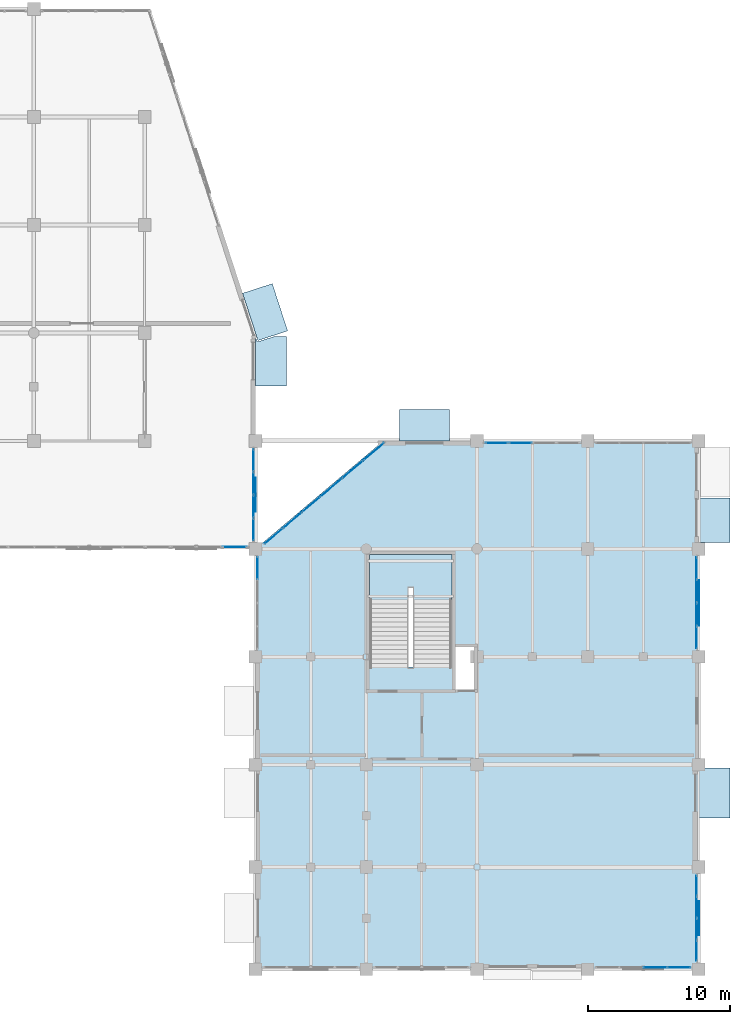
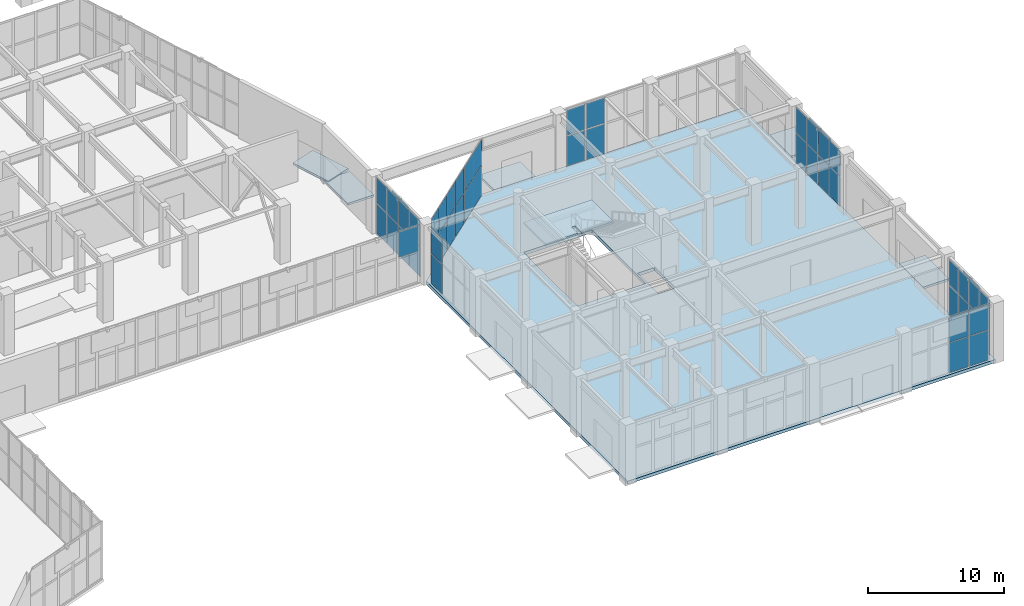
# One storey, part 111 of 139: 50 plates, 7 slabs, 10 elements without a shape of their own.
"""IFC4 building model written with IfcOpenShell, lengths in metres."""

from ifc_helpers import new_model, si_unit, direction, frame, origin, origin_2d, place, context, subcontext, project, spatial, polyline, rectangle, outline, extrude, material, layer, layer_set, type_object, element, aggregate, save


model = new_model("IFC4")

# Units and contexts
model_context = context("Model", 3, precision=1e-05, world=origin(), true_north=direction((0.0, 1.0)))
body_context = subcontext(model_context, "Body", "Model", "MODEL_VIEW")
ifc_project = project(units=[si_unit("LENGTHUNIT", "METRE"), si_unit("AREAUNIT", "SQUARE_METRE"), si_unit("VOLUMEUNIT", "CUBIC_METRE"), si_unit("PLANEANGLEUNIT", "RADIAN"), si_unit("MASSUNIT", "GRAM", prefix="KILO")], contexts=[model_context])

# Site, building, storey
site_placement = place(None, origin())
site = spatial("IfcSite", under=ifc_project, at=site_placement, CompositionType="ELEMENT")
building_placement = place(site_placement, origin())
building = spatial("IfcBuilding", under=site, at=building_placement, Name="Xicomal Pleat Aquarium", CompositionType="ELEMENT")
storey_placement = place(building_placement, origin())
storey = spatial("IfcBuildingStorey", under=building, at=storey_placement, Name="L01", CompositionType="ELEMENT", Elevation=0.0)

# Curtain wall, plates
ifc_material_1 = material(Name="Bronze anodized aluminium 6063-T6", Category="aluminium")
ifc_layer_1 = layer(ifc_material_1, 0.159912109375)
ifc_layer_set_1 = layer_set([ifc_layer_1], Name="Bronze anodized aluminium 6063-T6")
curtain_wall_type_1 = type_object("IfcCurtainWallType", Name="CW-SYS-11", PredefinedType="NOTDEFINED", material=ifc_layer_set_1)
curtain_wall_1_placement = place(storey_placement, origin())
curtain_wall_1 = element("IfcCurtainWall", 1, at=curtain_wall_1_placement, inside=storey, type_object=curtain_wall_type_1, Name="L01 unitised curtain wall CW-L01-056", PredefinedType="NOTDEFINED")
ifc_material_2 = material(Name="Insulated low-E laminated glass", Category="glass")
ifc_layer_2 = layer(ifc_material_2, 0.028076171875)
ifc_layer_set_2 = layer_set([ifc_layer_2], Name="Insulated low-E laminated glass")
plate_type_1 = type_object("IfcPlateType", Name="CWP-GLZ-28", PredefinedType="CURTAIN_PANEL", material=ifc_layer_set_2)
plate_1_placement = place(storey_placement, frame((150.7861328125, 37.860107421875, 0.0849609375), z_axis=(0.0, 0.0, 1.0), x_axis=(1.0, 0.0, 0.0)))
plate_1 = element("IfcPlate", 2, at=plate_1_placement, type_object=plate_type_1, Name="CW-11 panel 1.1", PredefinedType="CURTAIN_PANEL", context=body_context, shape_type="SweptSolid", body=[
    extrude(rectangle(XDim=1.5625, YDim=0.028076171875, at=origin_2d()), origin(), (0.0, 0.0, 1.0), 2.680419921875),
])
plate_2_placement = place(storey_placement, frame((150.7861328125, 37.860107421875, 2.8505859375), z_axis=(0.0, 0.0, 1.0), x_axis=(1.0, 0.0, 0.0)))
plate_2 = element("IfcPlate", 3, at=plate_2_placement, type_object=plate_type_1, Name="CW-11 panel 1.2", PredefinedType="CURTAIN_PANEL", context=body_context, shape_type="SweptSolid", body=[
    extrude(rectangle(XDim=1.5625, YDim=0.028076171875, at=origin_2d()), origin(), (0.0, 0.0, 1.0), 2.264404296875),
])
plate_3_placement = place(storey_placement, frame((152.455078125, 37.860107421875, 0.0849609375), z_axis=(0.0, 0.0, 1.0), x_axis=(1.0, 0.0, 0.0)))
plate_3 = element("IfcPlate", 4, at=plate_3_placement, type_object=plate_type_1, Name="CW-11 panel 2.1", PredefinedType="CURTAIN_PANEL", context=body_context, shape_type="SweptSolid", body=[
    extrude(rectangle(XDim=1.60498046875, YDim=0.028076171875, at=origin_2d()), origin(), (0.0, 0.0, 1.0), 2.680419921875),
])
plate_4_placement = place(storey_placement, frame((152.455078125, 37.860107421875, 2.8505859375), z_axis=(0.0, 0.0, 1.0), x_axis=(1.0, 0.0, 0.0)))
plate_4 = element("IfcPlate", 5, at=plate_4_placement, type_object=plate_type_1, Name="CW-11 panel 2.2", PredefinedType="CURTAIN_PANEL", context=body_context, shape_type="SweptSolid", body=[
    extrude(rectangle(XDim=1.60498046875, YDim=0.028076171875, at=origin_2d()), origin(), (0.0, 0.0, 1.0), 2.264404296875),
])
aggregate(curtain_wall_1, [plate_1, plate_2, plate_3, plate_4])

ifc_material_3 = material(Name="Bronze anodized aluminium 6063-T6", Category="aluminium")
ifc_layer_3 = layer(ifc_material_3, 0.159912109375)
ifc_layer_set_3 = layer_set([ifc_layer_3], Name="Bronze anodized aluminium 6063-T6")
curtain_wall_type_2 = type_object("IfcCurtainWallType", Name="CW-SYS-01", PredefinedType="NOTDEFINED", material=ifc_layer_set_3)
curtain_wall_2_placement = place(storey_placement, origin())
curtain_wall_2 = element("IfcCurtainWall", 6, at=curtain_wall_2_placement, inside=storey, type_object=curtain_wall_type_2, Name="L01 unitised curtain wall CW-L01-060", PredefinedType="NOTDEFINED")
plate_5_placement = place(storey_placement, frame((163.61865234375, 0.93994140625, 0.06494140625), z_axis=(0.0, 0.0, 1.0), x_axis=(-1.0, 0.0, 0.0)))
plate_5 = element("IfcPlate", 7, at=plate_5_placement, type_object=plate_type_1, Name="CW-01 panel 1.1", PredefinedType="CURTAIN_PANEL", context=body_context, shape_type="SweptSolid", body=[
    extrude(rectangle(XDim=1.592529296875, YDim=0.028076171875, at=origin_2d()), origin(), (0.0, 0.0, 1.0), 2.66748046875),
])
plate_6_placement = place(storey_placement, frame((163.61865234375, 0.93994140625, 2.79736328125), z_axis=(0.0, 0.0, 1.0), x_axis=(-1.0, 0.0, 0.0)))
plate_6 = element("IfcPlate", 8, at=plate_6_placement, type_object=plate_type_1, Name="CW-01 panel 1.2", PredefinedType="CURTAIN_PANEL", context=body_context, shape_type="SweptSolid", body=[
    extrude(rectangle(XDim=1.592529296875, YDim=0.028076171875, at=origin_2d()), origin(), (0.0, 0.0, 1.0), 2.257568359375),
])
plate_7_placement = place(storey_placement, frame((161.945068359375, 0.93994140625, 0.06494140625), z_axis=(0.0, 0.0, 1.0), x_axis=(-1.0, 0.0, 0.0)))
plate_7 = element("IfcPlate", 9, at=plate_7_placement, type_object=plate_type_1, Name="CW-01 panel 2.1", PredefinedType="CURTAIN_PANEL", context=body_context, shape_type="SweptSolid", body=[
    extrude(rectangle(XDim=1.625, YDim=0.028076171875, at=origin_2d()), origin(), (0.0, 0.0, 1.0), 2.66748046875),
])
plate_8_placement = place(storey_placement, frame((161.945068359375, 0.93994140625, 2.79736328125), z_axis=(0.0, 0.0, 1.0), x_axis=(-1.0, 0.0, 0.0)))
plate_8 = element("IfcPlate", 10, at=plate_8_placement, type_object=plate_type_1, Name="CW-01 panel 2.2", PredefinedType="CURTAIN_PANEL", context=body_context, shape_type="SweptSolid", body=[
    extrude(rectangle(XDim=1.625, YDim=0.028076171875, at=origin_2d()), origin(), (0.0, 0.0, 1.0), 2.257568359375),
])
aggregate(curtain_wall_2, [plate_5, plate_6, plate_7, plate_8])

ifc_material_4 = material(Name="Bronze anodized aluminium 6063-T6", Category="aluminium")
ifc_layer_4 = layer(ifc_material_4, 0.159912109375)
ifc_layer_set_4 = layer_set([ifc_layer_4], Name="Bronze anodized aluminium 6063-T6")
curtain_wall_type_3 = type_object("IfcCurtainWallType", Name="CW-SYS-06", PredefinedType="NOTDEFINED", material=ifc_layer_set_4)
curtain_wall_3_placement = place(storey_placement, origin())
curtain_wall_3 = element("IfcCurtainWall", 11, at=curtain_wall_3_placement, inside=storey, type_object=curtain_wall_type_3, Name="L01 unitised curtain wall CW-L01-046", PredefinedType="NOTDEFINED")
ifc_material_5 = material(Name="Insulated low-E laminated glass", Category="glass")
ifc_layer_5 = layer(ifc_material_5, 0.035888671875)
ifc_layer_set_5 = layer_set([ifc_layer_5], Name="Insulated low-E laminated glass")
plate_type_2 = type_object("IfcPlateType", Name="CWP-GLZ-36", PredefinedType="CURTAIN_PANEL", material=ifc_layer_set_5)
plate_9_placement = place(storey_placement, frame((133.659912109375, 36.64111328125, 0.0751953125), z_axis=(0.0, 0.0, 1.0), x_axis=(0.0, -1.0, 0.0)))
plate_9 = element("IfcPlate", 12, at=plate_9_placement, type_object=plate_type_2, Name="CW-06 panel 1.1", PredefinedType="CURTAIN_PANEL", context=body_context, shape_type="SweptSolid", body=[
    extrude(rectangle(XDim=1.527587890625, YDim=0.035888671875, at=origin_2d()), origin(), (0.0, 0.0, 1.0), 2.673583984375),
])
plate_10_placement = place(storey_placement, frame((133.659912109375, 36.64111328125, 2.82373046875), z_axis=(0.0, 0.0, 1.0), x_axis=(0.0, -1.0, 0.0)))
plate_10 = element("IfcPlate", 13, at=plate_10_placement, type_object=plate_type_2, Name="CW-06 panel 1.2", PredefinedType="CURTAIN_PANEL", context=body_context, shape_type="SweptSolid", body=[
    extrude(rectangle(XDim=1.527587890625, YDim=0.035888671875, at=origin_2d()), origin(), (0.0, 0.0, 1.0), 2.261474609375),
])
plate_11_placement = place(storey_placement, frame((133.659912109375, 35.02001953125, 0.0751953125), z_axis=(0.0, 0.0, 1.0), x_axis=(0.0, -1.0, 0.0)))
plate_11 = element("IfcPlate", 14, at=plate_11_placement, type_object=plate_type_2, Name="CW-06 panel 2.1", PredefinedType="CURTAIN_PANEL", context=body_context, shape_type="SweptSolid", body=[
    extrude(rectangle(XDim=1.56494140625, YDim=0.035888671875, at=origin_2d()), origin(), (0.0, 0.0, 1.0), 2.673583984375),
])
plate_12_placement = place(storey_placement, frame((133.659912109375, 35.02001953125, 2.82373046875), z_axis=(0.0, 0.0, 1.0), x_axis=(0.0, -1.0, 0.0)))
plate_12 = element("IfcPlate", 15, at=plate_12_placement, type_object=plate_type_2, Name="CW-06 panel 2.2", PredefinedType="CURTAIN_PANEL", context=body_context, shape_type="SweptSolid", body=[
    extrude(rectangle(XDim=1.56494140625, YDim=0.035888671875, at=origin_2d()), origin(), (0.0, 0.0, 1.0), 2.261474609375),
])
plate_13_placement = place(storey_placement, frame((133.659912109375, 33.3798828125, 0.0751953125), z_axis=(0.0, 0.0, 1.0), x_axis=(0.0, -1.0, 0.0)))
plate_13 = element("IfcPlate", 16, at=plate_13_placement, type_object=plate_type_2, Name="CW-06 panel 3.1", PredefinedType="CURTAIN_PANEL", context=body_context, shape_type="SweptSolid", body=[
    extrude(rectangle(XDim=1.56494140625, YDim=0.035888671875, at=origin_2d()), origin(), (0.0, 0.0, 1.0), 2.673583984375),
])
plate_14_placement = place(storey_placement, frame((133.659912109375, 33.3798828125, 2.82373046875), z_axis=(0.0, 0.0, 1.0), x_axis=(0.0, -1.0, 0.0)))
plate_14 = element("IfcPlate", 17, at=plate_14_placement, type_object=plate_type_2, Name="CW-06 panel 3.2", PredefinedType="CURTAIN_PANEL", context=body_context, shape_type="SweptSolid", body=[
    extrude(rectangle(XDim=1.56494140625, YDim=0.035888671875, at=origin_2d()), origin(), (0.0, 0.0, 1.0), 2.261474609375),
])
plate_15_placement = place(storey_placement, frame((133.659912109375, 31.7587890625, 0.0751953125), z_axis=(0.0, 0.0, 1.0), x_axis=(0.0, -1.0, 0.0)))
plate_15 = element("IfcPlate", 18, at=plate_15_placement, type_object=plate_type_2, Name="CW-06 panel 4.1", PredefinedType="CURTAIN_PANEL", context=body_context, shape_type="SweptSolid", body=[
    extrude(rectangle(XDim=1.527587890625, YDim=0.035888671875, at=origin_2d()), origin(), (0.0, 0.0, 1.0), 2.673583984375),
])
plate_16_placement = place(storey_placement, frame((133.659912109375, 31.7587890625, 2.82373046875), z_axis=(0.0, 0.0, 1.0), x_axis=(0.0, -1.0, 0.0)))
plate_16 = element("IfcPlate", 19, at=plate_16_placement, type_object=plate_type_2, Name="CW-06 panel 4.2", PredefinedType="CURTAIN_PANEL", context=body_context, shape_type="SweptSolid", body=[
    extrude(rectangle(XDim=1.527587890625, YDim=0.035888671875, at=origin_2d()), origin(), (0.0, 0.0, 1.0), 2.261474609375),
])
aggregate(curtain_wall_3, [plate_9, plate_10, plate_11, plate_12, plate_13, plate_14, plate_15, plate_16])

curtain_wall_4_placement = place(storey_placement, origin())
curtain_wall_4 = element("IfcCurtainWall", 20, at=curtain_wall_4_placement, inside=storey, type_object=curtain_wall_type_2, Name="L01 unitised curtain wall CW-L01-054", PredefinedType="NOTDEFINED")
plate_17_placement = place(storey_placement, frame((135.094970703125, 31.310302734375, 0.06494140625), z_axis=(0.0, 0.0, 1.0), x_axis=(0.763991960357, 0.645225762435, 0.0)))
plate_17 = element("IfcPlate", 21, at=plate_17_placement, type_object=plate_type_2, Name="CW-01 panel 1.1", PredefinedType="CURTAIN_PANEL", context=body_context, shape_type="SweptSolid", body=[
    extrude(rectangle(XDim=1.63427734375, YDim=0.035888671875, at=origin_2d()), origin(), (0.0, 0.0, 1.0), 2.66748046875),
])
plate_18_placement = place(storey_placement, frame((135.094970703125, 31.310302734375, 2.79736328125), z_axis=(0.0, 0.0, 1.0), x_axis=(0.763991960357, 0.645225762435, 0.0)))
plate_18 = element("IfcPlate", 22, at=plate_18_placement, type_object=plate_type_2, Name="CW-01 panel 1.2", PredefinedType="CURTAIN_PANEL", context=body_context, shape_type="SweptSolid", body=[
    extrude(rectangle(XDim=1.63427734375, YDim=0.035888671875, at=origin_2d()), origin(), (0.0, 0.0, 1.0), 2.257568359375),
])
plate_19_placement = place(storey_placement, frame((136.405517578125, 32.4169921875, 0.06494140625), z_axis=(0.0, 0.0, 1.0), x_axis=(0.763991960357, 0.645225762435, 0.0)))
plate_19 = element("IfcPlate", 23, at=plate_19_placement, type_object=plate_type_2, Name="CW-01 panel 2.1", PredefinedType="CURTAIN_PANEL", context=body_context, shape_type="SweptSolid", body=[
    extrude(rectangle(XDim=1.666748046875, YDim=0.035888671875, at=origin_2d()), origin(), (0.0, 0.0, 1.0), 2.66748046875),
])
plate_20_placement = place(storey_placement, frame((136.405517578125, 32.4169921875, 2.79736328125), z_axis=(0.0, 0.0, 1.0), x_axis=(0.763991960357, 0.645225762435, 0.0)))
plate_20 = element("IfcPlate", 24, at=plate_20_placement, type_object=plate_type_2, Name="CW-01 panel 2.2", PredefinedType="CURTAIN_PANEL", context=body_context, shape_type="SweptSolid", body=[
    extrude(rectangle(XDim=1.666748046875, YDim=0.035888671875, at=origin_2d()), origin(), (0.0, 0.0, 1.0), 2.257568359375),
])
plate_21_placement = place(storey_placement, frame((137.716064453125, 33.523681640625, 0.06494140625), z_axis=(0.0, 0.0, 1.0), x_axis=(0.763991960357, 0.645225762435, 0.0)))
plate_21 = element("IfcPlate", 25, at=plate_21_placement, type_object=plate_type_2, Name="CW-01 panel 3.1", PredefinedType="CURTAIN_PANEL", context=body_context, shape_type="SweptSolid", body=[
    extrude(rectangle(XDim=1.63427734375, YDim=0.035888671875, at=origin_2d()), origin(), (0.0, 0.0, 1.0), 2.66748046875),
])
plate_22_placement = place(storey_placement, frame((137.716064453125, 33.523681640625, 2.79736328125), z_axis=(0.0, 0.0, 1.0), x_axis=(0.763991960357, 0.645225762435, 0.0)))
plate_22 = element("IfcPlate", 26, at=plate_22_placement, type_object=plate_type_2, Name="CW-01 panel 3.2", PredefinedType="CURTAIN_PANEL", context=body_context, shape_type="SweptSolid", body=[
    extrude(rectangle(XDim=1.63427734375, YDim=0.035888671875, at=origin_2d()), origin(), (0.0, 0.0, 1.0), 2.257568359375),
])
aggregate(curtain_wall_4, [plate_17, plate_18, plate_19, plate_20, plate_21, plate_22])

curtain_wall_5_placement = place(storey_placement, origin())
curtain_wall_5 = element("IfcCurtainWall", 27, at=curtain_wall_5_placement, inside=storey, type_object=curtain_wall_type_3, Name="L01 unitised curtain wall CW-L01-058", PredefinedType="NOTDEFINED")
plate_23_placement = place(storey_placement, frame((164.860107421875, 29.041259765625, 0.0751953125), z_axis=(0.0, 0.0, 1.0), x_axis=(0.0, -1.0, 0.0)))
plate_23 = element("IfcPlate", 28, at=plate_23_placement, type_object=plate_type_2, Name="CW-06 panel 1.1", PredefinedType="CURTAIN_PANEL", context=body_context, shape_type="SweptSolid", body=[
    extrude(rectangle(XDim=1.527587890625, YDim=0.035888671875, at=origin_2d()), origin(), (0.0, 0.0, 1.0), 2.652587890625),
])
plate_24_placement = place(storey_placement, frame((164.860107421875, 29.041259765625, 2.802734375), z_axis=(0.0, 0.0, 1.0), x_axis=(0.0, -1.0, 0.0)))
plate_24 = element("IfcPlate", 29, at=plate_24_placement, type_object=plate_type_2, Name="CW-06 panel 1.2", PredefinedType="CURTAIN_PANEL", context=body_context, shape_type="SweptSolid", body=[
    extrude(rectangle(XDim=1.527587890625, YDim=0.035888671875, at=origin_2d()), origin(), (0.0, 0.0, 1.0), 2.242431640625),
])
plate_25_placement = place(storey_placement, frame((164.860107421875, 27.419921875, 0.0751953125), z_axis=(0.0, 0.0, 1.0), x_axis=(0.0, -1.0, 0.0)))
plate_25 = element("IfcPlate", 30, at=plate_25_placement, type_object=plate_type_2, Name="CW-06 panel 2.1", PredefinedType="CURTAIN_PANEL", context=body_context, shape_type="SweptSolid", body=[
    extrude(rectangle(XDim=1.56494140625, YDim=0.035888671875, at=origin_2d()), origin(), (0.0, 0.0, 1.0), 2.652587890625),
])
plate_26_placement = place(storey_placement, frame((164.860107421875, 27.419921875, 2.802734375), z_axis=(0.0, 0.0, 1.0), x_axis=(0.0, -1.0, 0.0)))
plate_26 = element("IfcPlate", 31, at=plate_26_placement, type_object=plate_type_2, Name="CW-06 panel 2.2", PredefinedType="CURTAIN_PANEL", context=body_context, shape_type="SweptSolid", body=[
    extrude(rectangle(XDim=1.56494140625, YDim=0.035888671875, at=origin_2d()), origin(), (0.0, 0.0, 1.0), 2.242431640625),
])
plate_27_placement = place(storey_placement, frame((164.860107421875, 25.780029296875, 0.0751953125), z_axis=(0.0, 0.0, 1.0), x_axis=(0.0, -1.0, 0.0)))
plate_27 = element("IfcPlate", 32, at=plate_27_placement, type_object=plate_type_2, Name="CW-06 panel 3.1", PredefinedType="CURTAIN_PANEL", context=body_context, shape_type="SweptSolid", body=[
    extrude(rectangle(XDim=1.56494140625, YDim=0.035888671875, at=origin_2d()), origin(), (0.0, 0.0, 1.0), 2.652587890625),
])
plate_28_placement = place(storey_placement, frame((164.860107421875, 25.780029296875, 2.802734375), z_axis=(0.0, 0.0, 1.0), x_axis=(0.0, -1.0, 0.0)))
plate_28 = element("IfcPlate", 33, at=plate_28_placement, type_object=plate_type_2, Name="CW-06 panel 3.2", PredefinedType="CURTAIN_PANEL", context=body_context, shape_type="SweptSolid", body=[
    extrude(rectangle(XDim=1.56494140625, YDim=0.035888671875, at=origin_2d()), origin(), (0.0, 0.0, 1.0), 2.242431640625),
])
plate_29_placement = place(storey_placement, frame((164.860107421875, 24.15869140625, 0.0751953125), z_axis=(0.0, 0.0, 1.0), x_axis=(0.0, -1.0, 0.0)))
plate_29 = element("IfcPlate", 34, at=plate_29_placement, type_object=plate_type_2, Name="CW-06 panel 4.1", PredefinedType="CURTAIN_PANEL", context=body_context, shape_type="SweptSolid", body=[
    extrude(rectangle(XDim=1.527587890625, YDim=0.035888671875, at=origin_2d()), origin(), (0.0, 0.0, 1.0), 2.652587890625),
])
plate_30_placement = place(storey_placement, frame((164.860107421875, 24.15869140625, 2.802734375), z_axis=(0.0, 0.0, 1.0), x_axis=(0.0, -1.0, 0.0)))
plate_30 = element("IfcPlate", 35, at=plate_30_placement, type_object=plate_type_2, Name="CW-06 panel 4.2", PredefinedType="CURTAIN_PANEL", context=body_context, shape_type="SweptSolid", body=[
    extrude(rectangle(XDim=1.527587890625, YDim=0.035888671875, at=origin_2d()), origin(), (0.0, 0.0, 1.0), 2.242431640625),
])
aggregate(curtain_wall_5, [plate_23, plate_24, plate_25, plate_26, plate_27, plate_28, plate_29, plate_30])

# Curtain wall, plate
curtain_wall_6_placement = place(storey_placement, origin())
curtain_wall_6 = element("IfcCurtainWall", 36, at=curtain_wall_6_placement, inside=storey, type_object=curtain_wall_type_1, Name="L01 unitised curtain wall CW-L01-047", PredefinedType="NOTDEFINED")
ifc_material_6 = material(Name="Insulated low-E laminated glass", Category="glass")
ifc_layer_6 = layer(ifc_material_6, 0.0419921875)
ifc_layer_set_6 = layer_set([ifc_layer_6], Name="Insulated low-E laminated glass")
plate_type_3 = type_object("IfcPlateType", Name="CWP-GLZ-42", PredefinedType="CURTAIN_PANEL", material=ifc_layer_set_6)
plate_31_placement = place(storey_placement, frame((132.3486328125, 30.5400390625, 2.828369140625), z_axis=(0.0, 0.0, 1.0), x_axis=(-1.0, 0.0, 0.0)))
plate_31 = element("IfcPlate", 37, at=plate_31_placement, type_object=plate_type_3, Name="CW-11 panel 1.2", PredefinedType="CURTAIN_PANEL", context=body_context, shape_type="SweptSolid", body=[
    extrude(rectangle(XDim=1.6923828125, YDim=0.0419921875, at=origin_2d()), origin(), (0.0, 0.0, 1.0), 2.24658203125),
])
aggregate(curtain_wall_6, [plate_31])

# Curtain wall, plates
curtain_wall_7_placement = place(storey_placement, origin())
curtain_wall_7 = element("IfcCurtainWall", 38, at=curtain_wall_7_placement, inside=storey, type_object=curtain_wall_type_3, Name="L01 unitised curtain wall CW-L01-055", PredefinedType="NOTDEFINED")
plate_32_placement = place(storey_placement, frame((139.154296875, 34.73828125, 0.0751953125), z_axis=(0.0, 0.0, 1.0), x_axis=(0.764029915846, 0.645180817828, 0.0)))
plate_32 = element("IfcPlate", 39, at=plate_32_placement, type_object=plate_type_3, Name="CW-06 panel 1.1", PredefinedType="CURTAIN_PANEL", context=body_context, shape_type="SweptSolid", body=[
    extrude(rectangle(XDim=1.850830078125, YDim=0.0419921875, at=origin_2d()), origin(), (0.0, 0.0, 1.0), 2.652587890625),
])
plate_33_placement = place(storey_placement, frame((139.154296875, 34.73828125, 2.802734375), z_axis=(0.0, 0.0, 1.0), x_axis=(0.764029915846, 0.645180817828, 0.0)))
plate_33 = element("IfcPlate", 40, at=plate_33_placement, type_object=plate_type_3, Name="CW-06 panel 1.2", PredefinedType="CURTAIN_PANEL", context=body_context, shape_type="SweptSolid", body=[
    extrude(rectangle(XDim=1.850830078125, YDim=0.0419921875, at=origin_2d()), origin(), (0.0, 0.0, 1.0), 2.242431640625),
])
plate_34_placement = place(storey_placement, frame((140.639892578125, 35.992919921875, 0.0751953125), z_axis=(0.0, 0.0, 1.0), x_axis=(0.764029915846, 0.645180817828, 0.0)))
plate_34 = element("IfcPlate", 41, at=plate_34_placement, type_object=plate_type_3, Name="CW-06 panel 2.1", PredefinedType="CURTAIN_PANEL", context=body_context, shape_type="SweptSolid", body=[
    extrude(rectangle(XDim=1.88818359375, YDim=0.0419921875, at=origin_2d()), origin(), (0.0, 0.0, 1.0), 2.652587890625),
])
plate_35_placement = place(storey_placement, frame((140.639892578125, 35.992919921875, 2.802734375), z_axis=(0.0, 0.0, 1.0), x_axis=(0.764029915846, 0.645180817828, 0.0)))
plate_35 = element("IfcPlate", 42, at=plate_35_placement, type_object=plate_type_3, Name="CW-06 panel 2.2", PredefinedType="CURTAIN_PANEL", context=body_context, shape_type="SweptSolid", body=[
    extrude(rectangle(XDim=1.88818359375, YDim=0.0419921875, at=origin_2d()), origin(), (0.0, 0.0, 1.0), 2.242431640625),
])
plate_36_placement = place(storey_placement, frame((142.125732421875, 37.24755859375, 0.0751953125), z_axis=(0.0, 0.0, 1.0), x_axis=(0.764029915846, 0.645180817828, 0.0)))
plate_36 = element("IfcPlate", 43, at=plate_36_placement, type_object=plate_type_3, Name="CW-06 panel 3.1", PredefinedType="CURTAIN_PANEL", context=body_context, shape_type="SweptSolid", body=[
    extrude(rectangle(XDim=1.850830078125, YDim=0.0419921875, at=origin_2d()), origin(), (0.0, 0.0, 1.0), 2.652587890625),
])
plate_37_placement = place(storey_placement, frame((142.125732421875, 37.24755859375, 2.802734375), z_axis=(0.0, 0.0, 1.0), x_axis=(0.764029915846, 0.645180817828, 0.0)))
plate_37 = element("IfcPlate", 44, at=plate_37_placement, type_object=plate_type_3, Name="CW-06 panel 3.2", PredefinedType="CURTAIN_PANEL", context=body_context, shape_type="SweptSolid", body=[
    extrude(rectangle(XDim=1.850830078125, YDim=0.0419921875, at=origin_2d()), origin(), (0.0, 0.0, 1.0), 2.242431640625),
])
aggregate(curtain_wall_7, [plate_32, plate_33, plate_34, plate_35, plate_36, plate_37])

curtain_wall_8_placement = place(storey_placement, origin())
curtain_wall_8 = element("IfcCurtainWall", 45, at=curtain_wall_8_placement, inside=storey, type_object=curtain_wall_type_1, Name="L01 unitised curtain wall CW-L01-059", PredefinedType="NOTDEFINED")
plate_38_placement = place(storey_placement, frame((164.860107421875, 6.688720703125, 0.0849609375), z_axis=(0.0, 0.0, 1.0), x_axis=(0.0, -1.0, 0.0)))
plate_38 = element("IfcPlate", 46, at=plate_38_placement, type_object=plate_type_3, Name="CW-11 panel 1.1", PredefinedType="CURTAIN_PANEL", context=body_context, shape_type="SweptSolid", body=[
    extrude(rectangle(XDim=1.41259765625, YDim=0.0419921875, at=origin_2d()), origin(), (0.0, 0.0, 1.0), 2.637451171875),
])
plate_39_placement = place(storey_placement, frame((164.860107421875, 6.688720703125, 2.807373046875), z_axis=(0.0, 0.0, 1.0), x_axis=(0.0, -1.0, 0.0)))
plate_39 = element("IfcPlate", 47, at=plate_39_placement, type_object=plate_type_3, Name="CW-11 panel 1.2", PredefinedType="CURTAIN_PANEL", context=body_context, shape_type="SweptSolid", body=[
    extrude(rectangle(XDim=1.41259765625, YDim=0.0419921875, at=origin_2d()), origin(), (0.0, 0.0, 1.0), 2.2275390625),
])
plate_40_placement = place(storey_placement, frame((164.860107421875, 5.169921875, 0.0849609375), z_axis=(0.0, 0.0, 1.0), x_axis=(0.0, -1.0, 0.0)))
plate_40 = element("IfcPlate", 48, at=plate_40_placement, type_object=plate_type_3, Name="CW-11 panel 2.1", PredefinedType="CURTAIN_PANEL", context=body_context, shape_type="SweptSolid", body=[
    extrude(rectangle(XDim=1.455078125, YDim=0.0419921875, at=origin_2d()), origin(), (0.0, 0.0, 1.0), 2.637451171875),
])
plate_41_placement = place(storey_placement, frame((164.860107421875, 5.169921875, 2.807373046875), z_axis=(0.0, 0.0, 1.0), x_axis=(0.0, -1.0, 0.0)))
plate_41 = element("IfcPlate", 49, at=plate_41_placement, type_object=plate_type_3, Name="CW-11 panel 2.2", PredefinedType="CURTAIN_PANEL", context=body_context, shape_type="SweptSolid", body=[
    extrude(rectangle(XDim=1.455078125, YDim=0.0419921875, at=origin_2d()), origin(), (0.0, 0.0, 1.0), 2.2275390625),
])
plate_42_placement = place(storey_placement, frame((164.860107421875, 3.6298828125, 0.0849609375), z_axis=(0.0, 0.0, 1.0), x_axis=(0.0, -1.0, 0.0)))
plate_42 = element("IfcPlate", 50, at=plate_42_placement, type_object=plate_type_3, Name="CW-11 panel 3.1", PredefinedType="CURTAIN_PANEL", context=body_context, shape_type="SweptSolid", body=[
    extrude(rectangle(XDim=1.455078125, YDim=0.0419921875, at=origin_2d()), origin(), (0.0, 0.0, 1.0), 2.637451171875),
])
plate_43_placement = place(storey_placement, frame((164.860107421875, 3.6298828125, 2.807373046875), z_axis=(0.0, 0.0, 1.0), x_axis=(0.0, -1.0, 0.0)))
plate_43 = element("IfcPlate", 51, at=plate_43_placement, type_object=plate_type_3, Name="CW-11 panel 3.2", PredefinedType="CURTAIN_PANEL", context=body_context, shape_type="SweptSolid", body=[
    extrude(rectangle(XDim=1.455078125, YDim=0.0419921875, at=origin_2d()), origin(), (0.0, 0.0, 1.0), 2.2275390625),
])
plate_44_placement = place(storey_placement, frame((164.860107421875, 2.111328125, 0.0849609375), z_axis=(0.0, 0.0, 1.0), x_axis=(0.0, -1.0, 0.0)))
plate_44 = element("IfcPlate", 52, at=plate_44_placement, type_object=plate_type_3, Name="CW-11 panel 4.1", PredefinedType="CURTAIN_PANEL", context=body_context, shape_type="SweptSolid", body=[
    extrude(rectangle(XDim=1.41259765625, YDim=0.0419921875, at=origin_2d()), origin(), (0.0, 0.0, 1.0), 2.637451171875),
])
plate_45_placement = place(storey_placement, frame((164.860107421875, 2.111328125, 2.807373046875), z_axis=(0.0, 0.0, 1.0), x_axis=(0.0, -1.0, 0.0)))
plate_45 = element("IfcPlate", 53, at=plate_45_placement, type_object=plate_type_3, Name="CW-11 panel 4.2", PredefinedType="CURTAIN_PANEL", context=body_context, shape_type="SweptSolid", body=[
    extrude(rectangle(XDim=1.41259765625, YDim=0.0419921875, at=origin_2d()), origin(), (0.0, 0.0, 1.0), 2.2275390625),
])
aggregate(curtain_wall_8, [plate_38, plate_39, plate_40, plate_41, plate_42, plate_43, plate_44, plate_45])

curtain_wall_9_placement = place(storey_placement, origin())
curtain_wall_9 = element("IfcCurtainWall", 54, at=curtain_wall_9_placement, inside=storey, type_object=curtain_wall_type_2, Name="L01 unitised curtain wall CW-L01-063", PredefinedType="NOTDEFINED")
plate_46_placement = place(storey_placement, frame((133.93994140625, 29.043701171875, 0.06494140625), z_axis=(0.0, 0.0, 1.0), x_axis=(0.0, 1.0, 0.0)))
plate_46 = element("IfcPlate", 55, at=plate_46_placement, type_object=plate_type_3, Name="CW-01 panel 4.1", PredefinedType="CURTAIN_PANEL", context=body_context, shape_type="SweptSolid", body=[
    extrude(rectangle(XDim=1.54248046875, YDim=0.0419921875, at=origin_2d()), origin(), (0.0, 0.0, 1.0), 2.66748046875),
])
plate_47_placement = place(storey_placement, frame((133.93994140625, 29.043701171875, 2.79736328125), z_axis=(0.0, 0.0, 1.0), x_axis=(0.0, 1.0, 0.0)))
plate_47 = element("IfcPlate", 56, at=plate_47_placement, type_object=plate_type_3, Name="CW-01 panel 4.2", PredefinedType="CURTAIN_PANEL", context=body_context, shape_type="SweptSolid", body=[
    extrude(rectangle(XDim=1.54248046875, YDim=0.0419921875, at=origin_2d()), origin(), (0.0, 0.0, 1.0), 2.257568359375),
])
aggregate(curtain_wall_9, [plate_46, plate_47])

# Plates
ifc_material_7 = material(Name="Perforated bronze anodized aluminium", Category="aluminium")
ifc_layer_7 = layer(ifc_material_7, 0.01611328125)
ifc_layer_set_7 = layer_set([ifc_layer_7], Name="Perforated bronze anodized aluminium")
plate_type_4 = type_object("IfcPlateType", Name="PLT-SUN-16", PredefinedType="USERDEFINED", material=ifc_layer_set_7)
for number, where, z_axis, x_axis, name in (
    (57, (133.820068359375, 34.199951171875, 3.919921875), (0.0, 0.0, 1.0), (0.0, -1.0, 0.0), "L01 perforated solar sunshade 21"),
    (58, (165.02001953125, 4.39990234375, 3.8798828125), (0.0, 0.0, 1.0), (0.0, -1.0, 0.0), "L01 perforated solar sunshade 30"),
):
    element("IfcPlate", number, at=place(storey_placement, frame(where, z_axis=z_axis, x_axis=x_axis)), inside=storey, type_object=plate_type_4, Name=name, ObjectType="SUNSHADE PANEL", PredefinedType="USERDEFINED", context=body_context, shape_type="SweptSolid", body=[
        extrude(rectangle(XDim=2.39990234375, YDim=0.01611328125, at=origin_2d()), origin(), (0.0, 0.0, 1.0), 1.199951171875),
    ])
ifc_material_8 = material(Name="Perforated bronze anodized aluminium", Category="aluminium")
ifc_layer_8 = layer(ifc_material_8, 0.02392578125)
ifc_layer_set_8 = layer_set([ifc_layer_8], Name="Perforated bronze anodized aluminium")
plate_type_5 = type_object("IfcPlateType", Name="PLT-SUN-24", PredefinedType="USERDEFINED", material=ifc_layer_set_8)
plate_48_placement = place(storey_placement, frame((165.02001953125, 26.60009765625, 3.47998046875), z_axis=(0.0, 0.0, 1.0), x_axis=(0.0, -1.0, 0.0)))
element("IfcPlate", 59, at=plate_48_placement, inside=storey, type_object=plate_type_5, Name="L01 perforated solar sunshade 29", ObjectType="SUNSHADE PANEL", PredefinedType="USERDEFINED", context=body_context, shape_type="SweptSolid", body=[
    extrude(rectangle(XDim=3.199951171875, YDim=0.02392578125, at=origin_2d()), origin(), (0.0, 0.0, 1.0), 1.60009765625),
])

# Slab
ifc_material_9 = material(Name="Concrete C40/50", Category="concrete")
ifc_layer_9 = layer(ifc_material_9, 0.280029296875)
ifc_layer_set_9 = layer_set([ifc_layer_9], Name="Concrete C40/50")
slab_type_1 = type_object("IfcSlabType", Name="SLB-FLR-280", PredefinedType="FLOOR", material=ifc_layer_set_9)
slab_1_placement = place(storey_placement, frame((0.0, 0.0, -0.280029296875)))
element("IfcSlab", 60, at=slab_1_placement, inside=storey, type_object=slab_type_1, Name="L01 structural slab V3", PredefinedType="FLOOR", context=body_context, shape_type="SweptSolid", body=[
    extrude(outline(polyline([(142.800048828125, 38.0), (165.0, 38.0), (165.0, 0.800048828125), (133.800048828125, 0.800048828125), (133.800048828125, 30.39990234375), (142.800048828125, 38.0)]), holes=[polyline([(141.840087890625, 22.080078125), (147.6201171875, 22.080078125), (147.6201171875, 30.0), (141.840087890625, 30.0), (141.840087890625, 22.080078125)]), polyline([(147.760009765625, 20.5), (149.199951171875, 20.5), (149.199951171875, 23.5), (147.760009765625, 23.5), (147.760009765625, 20.5)])]), origin(), (0.0, 0.0, 1.0), 0.280029296875),
])

# Stair, slab
ifc_material_10 = material(Name="Concrete C35/45", Category="concrete")
stair_type = type_object("IfcStairType", Name="STR-HT-5400-2400", PredefinedType="HALF_TURN_STAIR", material=ifc_material_10)
stair_placement = place(storey_placement, origin())
stair = element("IfcStair", 61, at=stair_placement, inside=storey, type_object=stair_type, Name="ST-08 fire exit stair L01 to L02", PredefinedType="HALF_TURN_STAIR")
ifc_material_11 = material(Name="Concrete C35/45", Category="concrete")
ifc_layer_10 = layer(ifc_material_11, 0.195068359375)
ifc_layer_set_10 = layer_set([ifc_layer_10], Name="Concrete C35/45")
slab_type_2 = type_object("IfcSlabType", Name="SLB-LND-195", PredefinedType="LANDING", material=ifc_layer_set_10)
slab_2_placement = place(storey_placement, frame((0.0, 0.0, 2.5048828125)))
slab_2 = element("IfcSlab", 62, at=slab_2_placement, type_object=slab_type_2, Name="ST-08 landing 1", PredefinedType="LANDING", context=body_context, shape_type="SweptSolid", body=[
    extrude(outline(polyline([(141.840087890625, 30.0), (147.6201171875, 30.0), (147.6201171875, 26.7900390625), (144.8798828125, 26.7900390625), (144.8798828125, 27.699951171875), (144.580078125, 27.699951171875), (144.580078125, 26.7900390625), (141.840087890625, 26.7900390625), (141.840087890625, 30.0)])), origin(), (0.0, 0.0, 1.0), 0.195068359375),
])
aggregate(stair, [slab_2])

# Slabs
ifc_material_12 = material(Name="Concrete C40/50", Category="concrete")
ifc_layer_11 = layer(ifc_material_12, 0.18505859375)
ifc_layer_set_11 = layer_set([ifc_layer_11], Name="Concrete C40/50")
slab_type_3 = type_object("IfcSlabType", Name="SLB-TER-185", PredefinedType="FLOOR", material=ifc_layer_set_11)
slab_3_placement = place(storey_placement, frame((0.0, 0.0, -0.18505859375)))
element("IfcSlab", 63, at=slab_3_placement, inside=storey, type_object=slab_type_3, Name="Exterior grade entrance apron SL-APR-EX-04", PredefinedType="FLOOR", context=body_context, shape_type="SweptSolid", body=[
    extrude(outline(polyline([(167.199951171875, 14.965087890625), (167.199951171875, 11.465087890625), (165.0, 11.465087890625), (165.0, 14.965087890625), (167.199951171875, 14.965087890625)])), origin(), (0.0, 0.0, 1.0), 0.18505859375),
])
slab_4_placement = place(storey_placement, frame((0.0, 0.0, -0.18505859375)))
element("IfcSlab", 64, at=slab_4_placement, inside=storey, type_object=slab_type_3, Name="Exterior grade entrance apron SL-APR-EX-05", PredefinedType="FLOOR", context=body_context, shape_type="SweptSolid", body=[
    extrude(outline(polyline([(136.06591796875, 45.74609375), (133.972900390625, 45.06689453125), (133.800048828125, 45.60009765625), (133.800048828125, 45.60009765625), (132.89208984375, 48.39599609375), (134.985107421875, 49.074951171875), (136.06591796875, 45.74609375)])), origin(), (0.0, 0.0, 1.0), 0.18505859375),
])
slab_5_placement = place(storey_placement, frame((0.0, 0.0, -0.18505859375)))
element("IfcSlab", 65, at=slab_5_placement, inside=storey, type_object=slab_type_3, Name="Exterior grade entrance apron SL-APR-EX-07", PredefinedType="FLOOR", context=body_context, shape_type="SweptSolid", body=[
    extrude(outline(polyline([(136.0, 45.3701171875), (136.0, 41.8701171875), (133.800048828125, 41.8701171875), (133.800048828125, 45.341064453125), (133.89697265625, 45.0419921875), (133.89990234375, 45.034912109375), (133.903076171875, 45.028076171875), (133.906982421875, 45.02099609375), (133.912109375, 45.014892578125), (133.91796875, 45.009033203125), (133.923095703125, 45.00390625), (133.929931640625, 45.0), (133.93701171875, 44.99609375), (133.944091796875, 44.992919921875), (133.950927734375, 44.989990234375), (133.958984375, 44.988037109375), (133.967041015625, 44.987060546875), (133.97509765625, 44.987060546875), (133.98193359375, 44.988037109375), (133.989990234375, 44.989013671875), (133.998046875, 44.990966796875), (135.166015625, 45.3701171875), (136.0, 45.3701171875)])), origin(), (0.0, 0.0, 1.0), 0.18505859375),
])
slab_6_placement = place(storey_placement, frame((0.0, 0.0, -0.18505859375)))
element("IfcSlab", 66, at=slab_6_placement, inside=storey, type_object=slab_type_3, Name="Exterior grade entrance apron SL-APR-EX-15", PredefinedType="FLOOR", context=body_context, shape_type="SweptSolid", body=[
    extrude(outline(polyline([(167.199951171875, 30.8349609375), (165.0, 30.8349609375), (165.0, 33.985107421875), (167.199951171875, 33.985107421875), (167.199951171875, 30.8349609375)])), origin(), (0.0, 0.0, 1.0), 0.18505859375),
])
slab_7_placement = place(storey_placement, frame((0.0, 0.0, -0.18505859375)))
element("IfcSlab", 67, at=slab_7_placement, inside=storey, type_object=slab_type_3, Name="Exterior grade entrance apron SL-APR-EX-27", PredefinedType="FLOOR", context=body_context, shape_type="SweptSolid", body=[
    extrude(outline(polyline([(143.952880859375, 40.199951171875), (147.452880859375, 40.199951171875), (147.452880859375, 38.0), (143.952880859375, 38.0), (143.952880859375, 40.199951171875)])), origin(), (0.0, 0.0, 1.0), 0.18505859375),
])

save(model, "model.ifc")
